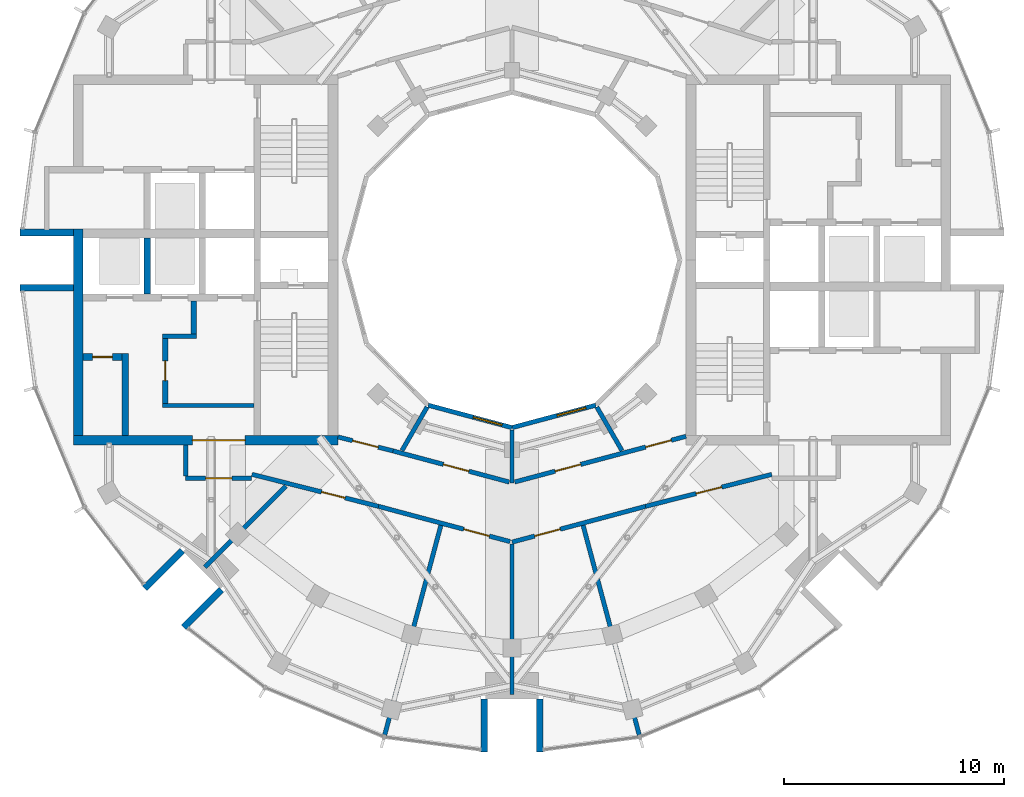
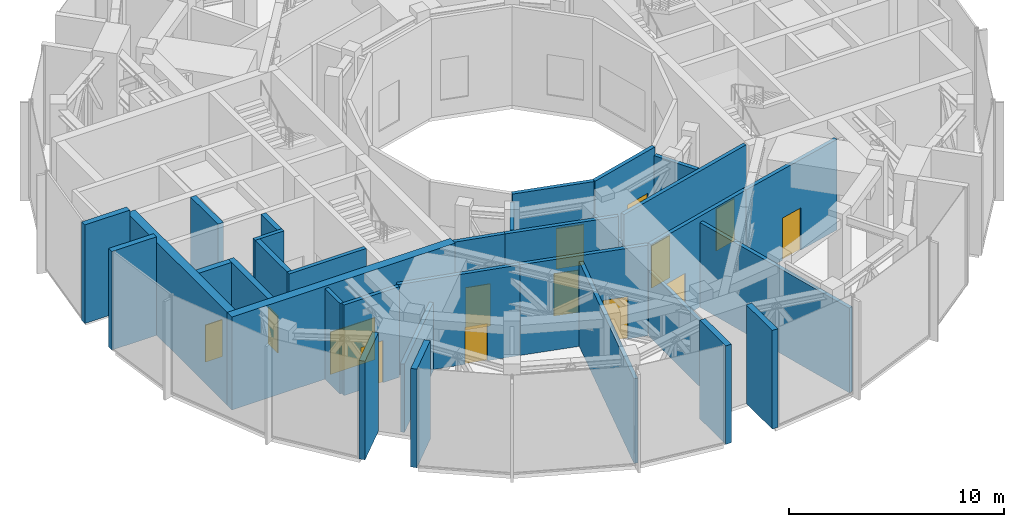
# One storey, part 11 of 17: 33 walls, 12 doors, 2 windows, 14 openings.
"""IFC4 building model written with IfcOpenShell, lengths in metres."""

import ifcopenshell
import ifcopenshell.guid

model = None  # the IFC model being written
_history = None  # IfcOwnerHistory: only IFC2X3 demands one
_inside = {}  # id of a spatial element -> (the spatial element, [elements in it])
_under = {}  # id of a project, library or spatial element -> (it, [spatial elements below it])
_declared = {}  # id of a project -> (the project, [libraries it declares])
_typed = {}  # id of a type object -> (the type object, [elements of that type])
_made_of = {}  # id of a material, layer set ... -> (it, [elements and type objects made of it])


def new_model(schema):
    """Start an empty IFC model of exactly this schema.

    Asked for "IFC4X3", IfcOpenShell would pick the latest addendum, in which some entities
    have other attributes; the version numbers below select the first issue.
    IFC2X3 requires an IfcOwnerHistory on every rooted entity: one is made here for all.
    """
    global model, _history
    if schema == "IFC4X3":
        model = ifcopenshell.file(schema_version=(4, 3, 0, 0))
    else:
        model = ifcopenshell.file(schema=schema)
    _inside.clear()
    _under.clear()
    _declared.clear()
    _typed.clear()
    _made_of.clear()
    _history = None
    if model.schema == "IFC2X3":
        org = make("IfcOrganization", Name="unknown")
        user = make(
            "IfcPersonAndOrganization",
            ThePerson=make("IfcPerson", FamilyName="unknown"),
            TheOrganization=org,
        )
        app = make(
            "IfcApplication",
            ApplicationDeveloper=org,
            Version="unknown",
            ApplicationFullName="unknown",
            ApplicationIdentifier="unknown",
        )
        _history = make(
            "IfcOwnerHistory",
            OwningUser=user,
            OwningApplication=app,
            ChangeAction="ADDED",
            CreationDate=0,
        )
    return model


def make(cls, **values):
    """One entity of the class cls with the attributes given. An attribute that is None is left unset."""
    return model.create_entity(
        cls, **{name: value for name, value in values.items() if value is not None}
    )


def rooted(cls, **values):
    """An entity with a GlobalId (a new one), such as an element, a storey or a relation."""
    return make(cls, GlobalId=ifcopenshell.guid.new(), OwnerHistory=_history, **values)


def si_unit(unit_type, name, prefix=None):
    """IfcSIUnit, for example si_unit("LENGTHUNIT", "METRE", prefix="MILLI")."""
    return make("IfcSIUnit", UnitType=unit_type, Prefix=prefix, Name=name)


def assignment(units):
    """IfcUnitAssignment: the units of a project."""
    return None if units is None else make("IfcUnitAssignment", Units=units)


def point(xyz):
    """IfcCartesianPoint."""
    return None if xyz is None else make("IfcCartesianPoint", Coordinates=xyz)


def direction(xyz):
    """IfcDirection."""
    return None if xyz is None else make("IfcDirection", DirectionRatios=xyz)


def frame(location, z_axis=None, x_axis=None):
    """IfcAxis2Placement3D, a coordinate frame: its origin and axes. An axis left out is left unset."""
    return make(
        "IfcAxis2Placement3D",
        Location=point(location),
        Axis=direction(z_axis),
        RefDirection=direction(x_axis),
    )


def frame_2d(location, x_axis=None):
    """IfcAxis2Placement2D, a coordinate frame in the plane: its origin and x axis."""
    return make(
        "IfcAxis2Placement2D", Location=point(location), RefDirection=direction(x_axis)
    )


def origin():
    """The frame at (0, 0, 0) with its axes left unset."""
    return frame((0.0, 0.0, 0.0))


def place(relative_to, where):
    """IfcLocalPlacement: puts the frame where relative to a parent placement (None: the world)."""
    return make(
        "IfcLocalPlacement", PlacementRelTo=relative_to, RelativePlacement=where
    )


def context(
    kind, dimensions, precision=None, world=None, true_north=None, identifier=None
):
    """IfcGeometricRepresentationContext, for example the 3D "Model" context."""
    return make(
        "IfcGeometricRepresentationContext",
        ContextIdentifier=identifier,
        ContextType=kind,
        CoordinateSpaceDimension=dimensions,
        Precision=precision,
        WorldCoordinateSystem=world,
        TrueNorth=true_north,
    )


def subcontext(parent, identifier, kind, view, scale=None):
    """IfcGeometricRepresentationSubContext, for example "Body" below "Model"."""
    return make(
        "IfcGeometricRepresentationSubContext",
        ContextIdentifier=identifier,
        ContextType=kind,
        ParentContext=parent,
        TargetScale=scale,
        TargetView=view,
    )


def project(units=None, contexts=None):
    """IfcProject with its units and contexts."""
    return rooted(
        "IfcProject",
        Name="project",
        RepresentationContexts=contexts,
        UnitsInContext=assignment(units),
    )


def spatial(cls, under=None, at=None, **own):
    """A site, building, storey or space (cls), placed at a placement, below another one or the project."""
    s = rooted(cls, ObjectPlacement=at, **own)
    if under is not None:
        _under.setdefault(under.id(), (under, []))[1].append(s)
    return s


def profile(cls, at=None, kind="AREA", **sizes):
    """A parametric profile (cls). Its sizes go by their IFC names, for example OverallWidth=200.0."""
    return make(cls, ProfileType=kind, Position=at, **sizes)


def rectangle(**sizes):
    """IfcRectangleProfileDef."""
    return profile("IfcRectangleProfileDef", **sizes)


def extrude(swept, where, along, depth):
    """IfcExtrudedAreaSolid: the profile swept, set in the frame where, extruded along a direction by depth."""
    return make(
        "IfcExtrudedAreaSolid",
        SweptArea=swept,
        Position=where,
        ExtrudedDirection=direction(along),
        Depth=depth,
    )


def shape(context_of_items, identifier, shape_type, items):
    """IfcShapeRepresentation: the items that make up one representation, for example the "Body"."""
    return make(
        "IfcShapeRepresentation",
        ContextOfItems=context_of_items,
        RepresentationIdentifier=identifier,
        RepresentationType=shape_type,
        Items=items,
    )


def material(Name=None, Category=None):
    """IfcMaterial."""
    return make("IfcMaterial", Name=Name, Category=Category)


def layer(
    of_material, thickness, ventilated=None, Name=None, Category=None, Priority=None
):
    """IfcMaterialLayer: one layer of a wall or slab, of a material (None: an air gap)."""
    return make(
        "IfcMaterialLayer",
        Material=of_material,
        LayerThickness=thickness,
        IsVentilated=ventilated,
        Name=Name,
        Category=Category,
        Priority=Priority,
    )


def layer_set(layers, Name=None):
    """IfcMaterialLayerSet."""
    return make("IfcMaterialLayerSet", MaterialLayers=layers, LayerSetName=Name)


def made_of(thing, what):
    """Note that an element or type object is made of a material, layer set ...; save() writes the relation."""
    if what is not None:
        _made_of.setdefault(what.id(), (what, []))[1].append(thing)
    return thing


def type_object(cls, material=None, **own):
    """A type object (cls), such as IfcWallType, which elements share."""
    return made_of(rooted(cls, **own), material)


def element(
    cls,
    number,
    at=None,
    inside=None,
    cuts=None,
    type_object=None,
    material=None,
    context=None,
    identifier="Body",
    shape_type=None,
    held_by="IfcProductDefinitionShape",
    body=None,
    shapes=None,
    **own,
):
    """One element of the class cls, such as IfcWall. Its Tag is "e" and its number.

    at: its placement. inside: the storey or other place that contains it. cuts: it is an
    opening in that element (IfcRelVoidsElement). A single representation is given by context,
    identifier, shape_type and body (its items); several are given by shapes. held_by: the class
    of the entity that holds the representations. save() writes the other relations.
    """
    e = rooted(cls, Tag="e%d" % number, ObjectPlacement=at, **own)
    if body is not None:
        shapes = [shape(context, identifier, shape_type, body)]
    if shapes is not None:
        e.Representation = make(held_by, Representations=shapes)
    if inside is not None:
        _inside.setdefault(inside.id(), (inside, []))[1].append(e)
    if cuts is not None:
        rooted(
            "IfcRelVoidsElement", RelatingBuildingElement=cuts, RelatedOpeningElement=e
        )
    if type_object is not None:
        _typed.setdefault(type_object.id(), (type_object, []))[1].append(e)
    return made_of(e, material)


def fill(opening, filler):
    """IfcRelFillsElement: the door or window that sits in an opening."""
    return rooted(
        "IfcRelFillsElement",
        RelatingOpeningElement=opening,
        RelatedBuildingElement=filler,
    )


def aggregate(whole, parts):
    """IfcRelAggregates: a whole, such as a stair, and the parts it consists of."""
    return rooted("IfcRelAggregates", RelatingObject=whole, RelatedObjects=parts)


def save(model, path):
    """Write the relations noted so far, then the file.

    IfcRelAggregates (storeys below a building ...), IfcRelContainedInSpatialStructure (elements
    in a storey), IfcRelDefinesByType, IfcRelAssociatesMaterial and IfcRelDeclares: one each for
    every whole, place, type object, material and project.
    """
    for whole, parts in _under.values():
        aggregate(whole, parts)
    for where, things in _inside.values():
        rooted(
            "IfcRelContainedInSpatialStructure",
            RelatedElements=things,
            RelatingStructure=where,
        )
    for kind, things in _typed.values():
        rooted("IfcRelDefinesByType", RelatedObjects=things, RelatingType=kind)
    for what, things in _made_of.values():
        rooted("IfcRelAssociatesMaterial", RelatedObjects=things, RelatingMaterial=what)
    for by, libraries in _declared.values():
        rooted("IfcRelDeclares", RelatingContext=by, RelatedDefinitions=libraries)
    model.write(path)


model = new_model("IFC4")

# Units and contexts
model_context = context("Model", 3, precision=1e-05, world=origin(), true_north=direction((0.0, 1.0)))
body_context = subcontext(model_context, "Body", "Model", "MODEL_VIEW")
ifc_project = project(units=[si_unit("LENGTHUNIT", "METRE"), si_unit("AREAUNIT", "SQUARE_METRE"), si_unit("VOLUMEUNIT", "CUBIC_METRE"), si_unit("PLANEANGLEUNIT", "RADIAN"), si_unit("MASSUNIT", "GRAM", prefix="KILO")], contexts=[model_context])

# Site, building, storey
site_placement = place(None, origin())
site = spatial("IfcSite", under=ifc_project, at=site_placement, CompositionType="ELEMENT")
building_placement = place(site_placement, origin())
building = spatial("IfcBuilding", under=site, at=building_placement, Name="Torre Brocal", CompositionType="ELEMENT")
storey_placement = place(building_placement, frame((0.0, 0.0, 309.300048828125)))
storey = spatial("IfcBuildingStorey", under=building, at=storey_placement, Name="L71", CompositionType="ELEMENT", Elevation=309.300048828125)

# Walls
ifc_material_1 = material(Name="Concrete C50", Category="concrete")
ifc_layer_1 = layer(ifc_material_1, 0.199951171875)
ifc_layer_set_1 = layer_set([ifc_layer_1], Name="Concrete C50")
wall_type_1 = type_object("IfcWallType", Name="CORE WALL 200 C50", PredefinedType="SHEAR", material=ifc_layer_set_1)
wall_1_placement = place(storey_placement, frame((68.300048828125, 68.39990234375, 0.0), z_axis=(0.0, 0.0, 1.0), x_axis=(-1.0, 0.0, 0.0)))
element("IfcWall", 1, at=wall_1_placement, inside=storey, type_object=wall_type_1, Name="Wall CW200-50", PredefinedType="SHEAR", context=body_context, shape_type="SweptSolid", body=[
    extrude(rectangle(XDim=4.150146484375, YDim=0.199951171875, at=frame_2d((2.0751953125, 0.0))), origin(), (0.0, 0.0, 1.0), 5.280029296875),
])
wall_2_placement = place(storey_placement, frame((65.699951171875, 71.550048828125, 0.0), z_axis=(0.0, 0.0, 1.0), x_axis=(-1.0, 0.0, 0.0)))
element("IfcWall", 2, at=wall_2_placement, inside=storey, type_object=wall_type_1, Name="Wall CW200-50", PredefinedType="SHEAR", context=body_context, shape_type="SweptSolid", body=[
    extrude(rectangle(XDim=1.550048828125, YDim=0.199951171875, at=frame_2d((0.77490234375, 0.0))), origin(), (0.0, 0.0, 1.0), 5.280029296875),
])

# Wall, opening, door
ifc_material_2 = material(Name="Concrete C50", Category="concrete")
ifc_layer_2 = layer(ifc_material_2, 0.25)
ifc_layer_set_2 = layer_set([ifc_layer_2], Name="Concrete C50")
wall_type_2 = type_object("IfcWallType", Name="CORE WALL 250 C50", PredefinedType="SHEAR", material=ifc_layer_set_2)
wall_3_placement = place(storey_placement, frame((64.27490234375, 71.449951171875, 0.0), z_axis=(0.0, 0.0, 1.0), x_axis=(0.0, -1.0, 0.0)))
wall_3 = element("IfcWall", 3, at=wall_3_placement, inside=storey, type_object=wall_type_2, Name="Wall CW250-50", PredefinedType="SHEAR", context=body_context, shape_type="SweptSolid", body=[
    extrude(rectangle(XDim=2.949951171875, YDim=0.25, at=frame_2d((1.47509765625, 0.0))), origin(), (0.0, 0.0, 1.0), 5.280029296875),
])
opening_1_placement = place(wall_3_placement, frame((1.02490234375, 0.0, 0.0)))
opening_1 = element("IfcOpeningElement", 4, at=opening_1_placement, cuts=wall_3, Name="Opening W-D19", PredefinedType="OPENING", context=body_context, shape_type="SweptSolid", body=[
    extrude(rectangle(XDim=0.89990234375, YDim=2.10009765625, at=frame_2d((0.449951171875, 1.050048828125))), frame((0.0, 0.135009765625, 0.0), z_axis=(0.0, -1.0, 0.0), x_axis=(1.0, 0.0, 0.0)), (0.0, 0.0, 1.0), 0.27001953125),
])
ifc_material_3 = material(Name="Steel A653", Category="steel")
door_type_1 = type_object("IfcDoorType", Name="LOBBY DOOR FD120 900X2100", OperationType="SINGLE_SWING_RIGHT", PredefinedType="DOOR", material=ifc_material_3)
door_1_placement = place(opening_1_placement, origin())
door_1 = element("IfcDoor", 5, at=door_1_placement, inside=storey, type_object=door_type_1, Name="Door W-D19", OperationType="SINGLE_SWING_LEFT", OverallHeight=2.10009765625, OverallWidth=0.89990234375, PredefinedType="DOOR", context=body_context, shape_type="SweptSolid", body=[
    extrude(rectangle(XDim=0.89990234375, YDim=2.10009765625, at=frame_2d((0.449951171875, 1.050048828125))), frame((0.0, 0.02490234375, 0.0), z_axis=(0.0, -1.0, 0.0), x_axis=(1.0, 0.0, 0.0)), (0.0, 0.0, 1.0), 0.050048828125),
])
fill(opening_1, door_1)

# Walls
wall_4_placement = place(storey_placement, frame((65.574951171875, 73.14990234375, 0.0), z_axis=(0.0, 0.0, 1.0), x_axis=(0.0, -1.0, 0.0)))
element("IfcWall", 6, at=wall_4_placement, inside=storey, type_object=wall_type_2, Name="Wall CW250-50", PredefinedType="SHEAR", context=body_context, shape_type="SweptSolid", body=[
    extrude(rectangle(XDim=1.5, YDim=0.25, at=frame_2d((0.75, 0.0))), origin(), (0.0, 0.0, 1.0), 5.280029296875),
])
ifc_material_4 = material(Name="Concrete C50", Category="concrete")
ifc_layer_3 = layer(ifc_material_4, 0.300048828125)
ifc_layer_set_3 = layer_set([ifc_layer_3], Name="Concrete C50")
wall_type_3 = type_object("IfcWallType", Name="CORE WALL 300 C50", PredefinedType="SHEAR", material=ifc_layer_set_3)
wall_5_placement = place(storey_placement, frame((63.449951171875, 76.0, 0.0), z_axis=(0.0, 0.0, 1.0), x_axis=(0.0, -1.0, 0.0)))
element("IfcWall", 7, at=wall_5_placement, inside=storey, type_object=wall_type_3, Name="Wall CW300-50", PredefinedType="SHEAR", context=body_context, shape_type="SweptSolid", body=[
    extrude(rectangle(XDim=2.550048828125, YDim=0.300048828125, at=frame_2d((1.27490234375, 0.0))), origin(), (0.0, 0.0, 1.0), 5.280029296875),
])
wall_6_placement = place(storey_placement, frame((62.449951171875, 70.75, 0.0), z_axis=(0.0, 0.0, 1.0), x_axis=(0.0, -1.0, 0.0)))
element("IfcWall", 8, at=wall_6_placement, inside=storey, type_object=wall_type_3, Name="Wall CW300-50", PredefinedType="SHEAR", context=body_context, shape_type="SweptSolid", body=[
    extrude(rectangle(XDim=3.699951171875, YDim=0.300048828125, at=frame_2d((1.85009765625, 0.0))), origin(), (0.0, 0.0, 1.0), 5.280029296875),
])

# Wall, opening, door
wall_7_placement = place(storey_placement, frame((62.300048828125, 70.60009765625, 0.0), z_axis=(0.0, 0.0, 1.0), x_axis=(-1.0, 0.0, 0.0)))
wall_7 = element("IfcWall", 9, at=wall_7_placement, inside=storey, type_object=wall_type_3, Name="Wall CW300-50", PredefinedType="SHEAR", context=body_context, shape_type="SweptSolid", body=[
    extrude(rectangle(XDim=1.75, YDim=0.300048828125, at=frame_2d((0.875, 0.0))), origin(), (0.0, 0.0, 1.0), 5.280029296875),
])
opening_2_placement = place(wall_7_placement, frame((0.425048828125, 0.0, 0.0)))
opening_2 = element("IfcOpeningElement", 10, at=opening_2_placement, cuts=wall_7, Name="Opening W-D06", PredefinedType="OPENING", context=body_context, shape_type="SweptSolid", body=[
    extrude(rectangle(XDim=0.89990234375, YDim=2.10009765625, at=frame_2d((0.449951171875, 1.050048828125))), frame((0.0, 0.159912109375, 0.0), z_axis=(0.0, -1.0, 0.0), x_axis=(1.0, 0.0, 0.0)), (0.0, 0.0, 1.0), 0.320068359375),
])
ifc_material_5 = material(Name="Steel A653", Category="steel")
door_type_2 = type_object("IfcDoorType", Name="ROOM DOOR FD30S 900X2100", OperationType="SINGLE_SWING_LEFT", PredefinedType="DOOR", material=ifc_material_5)
door_2_placement = place(opening_2_placement, origin())
door_2 = element("IfcDoor", 11, at=door_2_placement, inside=storey, type_object=door_type_2, Name="Door W-D06", OperationType="SINGLE_SWING_RIGHT", OverallHeight=2.10009765625, OverallWidth=0.89990234375, PredefinedType="DOOR", context=body_context, shape_type="SweptSolid", body=[
    extrude(rectangle(XDim=0.89990234375, YDim=2.10009765625, at=frame_2d((0.449951171875, 1.050048828125))), frame((0.0, 0.02490234375, 0.0), z_axis=(0.0, -1.0, 0.0), x_axis=(1.0, 0.0, 0.0)), (0.0, 0.0, 1.0), 0.050048828125),
])
fill(opening_2, door_2)

ifc_material_6 = material(Name="Concrete C50", Category="concrete")
ifc_layer_4 = layer(ifc_material_6, 0.449951171875)
ifc_layer_set_4 = layer_set([ifc_layer_4], Name="Concrete C50")
wall_type_4 = type_object("IfcWallType", Name="CORE WALL 450 C50", PredefinedType="SHEAR", material=ifc_layer_set_4)
wall_8_placement = place(storey_placement, frame((72.10009765625, 66.824951171875, 0.0), z_axis=(0.0, 0.0, 1.0), x_axis=(-1.0, 0.0, 0.0)))
wall_8 = element("IfcWall", 12, at=wall_8_placement, inside=storey, type_object=wall_type_4, Name="Wall CW450-50", PredefinedType="SHEAR", context=body_context, shape_type="SweptSolid", body=[
    extrude(rectangle(XDim=12.0, YDim=0.449951171875, at=frame_2d((6.0, 0.0))), origin(), (0.0, 0.0, 1.0), 5.280029296875),
])
opening_3_placement = place(wall_8_placement, frame((4.199951171875, 0.0, 0.0)))
opening_3 = element("IfcOpeningElement", 13, at=opening_3_placement, cuts=wall_8, Name="Opening W-D24", PredefinedType="OPENING", context=body_context, shape_type="SweptSolid", body=[
    extrude(rectangle(XDim=2.39990234375, YDim=2.39990234375, at=frame_2d((1.199951171875, 1.199951171875))), frame((0.0, 0.23486328125, 0.0), z_axis=(0.0, -1.0, 0.0), x_axis=(1.0, 0.0, 0.0)), (0.0, 0.0, 1.0), 0.469970703125),
])
ifc_material_7 = material(Name="Steel A653", Category="steel")
door_type_3 = type_object("IfcDoorType", Name="DOUBLE FIRE DOOR FD90 2400X2400", OperationType="DOUBLE_DOOR_SINGLE_SWING", PredefinedType="DOOR", material=ifc_material_7)
door_3_placement = place(opening_3_placement, frame((2.39990234375, 0.0, 0.0), z_axis=(0.0, 0.0, 1.0), x_axis=(-1.0, 0.0, 0.0)))
door_3 = element("IfcDoor", 14, at=door_3_placement, inside=storey, type_object=door_type_3, Name="Door W-D24", OperationType="DOUBLE_DOOR_SINGLE_SWING", OverallHeight=2.39990234375, OverallWidth=2.39990234375, PredefinedType="DOOR", context=body_context, shape_type="SweptSolid", body=[
    extrude(rectangle(XDim=2.39990234375, YDim=2.39990234375, at=frame_2d((1.199951171875, 1.199951171875))), frame((0.0, 0.02490234375, 0.0), z_axis=(0.0, -1.0, 0.0), x_axis=(1.0, 0.0, 0.0)), (0.0, 0.0, 1.0), 0.050048828125),
])
fill(opening_3, door_3)

# Walls
wall_9_placement = place(storey_placement, frame((60.324951171875, 76.39990234375, 0.0), z_axis=(0.0, 0.0, 1.0), x_axis=(0.0, -1.0, 0.0)))
element("IfcWall", 15, at=wall_9_placement, inside=storey, type_object=wall_type_4, Name="Wall CW450-50", PredefinedType="SHEAR", context=body_context, shape_type="SweptSolid", body=[
    extrude(rectangle(XDim=9.349853515625, YDim=0.449951171875, at=frame_2d((4.6748046875, 0.0))), origin(), (0.0, 0.0, 1.0), 5.280029296875),
])
ifc_material_8 = material(Name="Concrete C50", Category="concrete")
ifc_layer_5 = layer(ifc_material_8, 0.300048828125)
ifc_layer_set_5 = layer_set([ifc_layer_5], Name="Concrete C50")
wall_type_5 = type_object("IfcWallType", Name="NOTCH RETURN WALL 300 C50", PredefinedType="NOTDEFINED", material=ifc_layer_set_5)
for number, where, z_axis, x_axis, name in (
    (16, (60.10009765625, 76.25, 0.0), (0.0, 0.0, 1.0), (-1.0, 0.0, 0.0), "NOTCH RETURN WALL"),
    (17, (60.10009765625, 73.75, 0.0), (0.0, 0.0, 1.0), (-1.0, 0.0, 0.0), "NOTCH RETURN WALL"),
    (18, (65.044677734375, 61.8125, 0.0), (0.0, 0.0, 1.0), (-0.707106781187, -0.707106781187, 0.0), "NOTCH RETURN WALL"),
    (19, (66.8125, 60.044677734375, 0.0), (0.0, 0.0, 1.0), (-0.707106781187, -0.707106781187, 0.0), "NOTCH RETURN WALL"),
    (20, (78.75, 55.10009765625, 0.0), (0.0, 0.0, 1.0), (0.0, -1.0, 0.0), "NOTCH RETURN WALL"),
    (21, (81.25, 55.10009765625, 0.0), (0.0, 0.0, 1.0), (0.0, -1.0, 0.0), "NOTCH RETURN WALL"),
):
    element("IfcWall", number, at=place(storey_placement, frame(where, z_axis=z_axis, x_axis=x_axis)), inside=storey, type_object=wall_type_5, Name=name, PredefinedType="NOTDEFINED", context=body_context, shape_type="SweptSolid", body=[
        extrude(rectangle(XDim=2.415771484375, YDim=0.300048828125, at=frame_2d((1.2080078125, 0.0))), origin(), (0.0, 0.0, 1.0), 5.599853515625),
    ])
ifc_material_9 = material(Name="Masonry block", Category="masonry")
ifc_layer_6 = layer(ifc_material_9, 0.199951171875)
ifc_layer_set_6 = layer_set([ifc_layer_6], Name="Masonry block")
wall_type_6 = type_object("IfcWallType", Name="PARTITION 200 EI120", PredefinedType="PARTITIONING", material=ifc_layer_set_6)
wall_10_placement = place(storey_placement, frame((65.199951171875, 65.199951171875, 0.0), z_axis=(0.0, 0.0, 1.0), x_axis=(0.0, 1.0, 0.0)))
element("IfcWall", 22, at=wall_10_placement, inside=storey, type_object=wall_type_6, Name="PLANT ROOM WALL", PredefinedType="PARTITIONING", context=body_context, shape_type="SweptSolid", body=[
    extrude(rectangle(XDim=1.399169921875, YDim=0.199951171875, at=frame_2d((0.69970703125, 0.0))), origin(), (0.0, 0.0, 1.0), 5.14990234375),
])

# Wall, opening, door
wall_11_placement = place(storey_placement, frame((65.199951171875, 65.10009765625, 0.0), z_axis=(0.0, 0.0, 1.0), x_axis=(1.0, 0.0, 0.0)))
wall_11 = element("IfcWall", 23, at=wall_11_placement, inside=storey, type_object=wall_type_6, Name="PLANT ROOM WALL", PredefinedType="PARTITIONING", context=body_context, shape_type="SweptSolid", body=[
    extrude(rectangle(XDim=2.97998046875, YDim=0.199951171875, at=frame_2d((1.489990234375, 0.0))), origin(), (0.0, 0.0, 1.0), 5.14990234375),
])
opening_4_placement = place(wall_11_placement, frame((0.89990234375, 0.0, 0.0)))
opening_4 = element("IfcOpeningElement", 24, at=opening_4_placement, cuts=wall_11, Name="Opening X3-D15", PredefinedType="OPENING", context=body_context, shape_type="SweptSolid", body=[
    extrude(rectangle(XDim=1.199951171875, YDim=2.39990234375, at=frame_2d((0.60009765625, 1.199951171875))), frame((0.0, 0.10986328125, 0.0), z_axis=(0.0, -1.0, 0.0), x_axis=(1.0, 0.0, 0.0)), (0.0, 0.0, 1.0), 0.219970703125),
])
ifc_material_10 = material(Name="Steel A653", Category="steel")
door_type_4 = type_object("IfcDoorType", Name="PLANT DOOR FD90 1200X2400", OperationType="SINGLE_SWING_RIGHT", PredefinedType="DOOR", material=ifc_material_10)
door_4_placement = place(opening_4_placement, frame((1.199951171875, 0.0, 0.0), z_axis=(0.0, 0.0, 1.0), x_axis=(-1.0, 0.0, 0.0)))
door_4 = element("IfcDoor", 25, at=door_4_placement, inside=storey, type_object=door_type_4, Name="X3-D15", OperationType="SINGLE_SWING_LEFT", OverallHeight=2.39990234375, OverallWidth=1.199951171875, PredefinedType="DOOR", context=body_context, shape_type="SweptSolid", body=[
    extrude(rectangle(XDim=1.199951171875, YDim=2.39990234375, at=frame_2d((0.60009765625, 1.199951171875))), frame((0.0, 0.02490234375, 0.0), z_axis=(0.0, -1.0, 0.0), x_axis=(1.0, 0.0, 0.0)), (0.0, 0.0, 1.0), 0.050048828125),
])
fill(opening_4, door_4)

wall_12_placement = place(storey_placement, frame((68.200927734375, 65.280029296875, 0.0), z_axis=(0.0, 0.0, 1.0), x_axis=(0.969440682923, -0.245325828836, 0.0)))
wall_12 = element("IfcWall", 26, at=wall_12_placement, inside=storey, type_object=wall_type_6, Name="PLANT ROOM WALL", PredefinedType="PARTITIONING", context=body_context, shape_type="SweptSolid", body=[
    extrude(rectangle(XDim=5.92724609375, YDim=0.199951171875, at=frame_2d((2.963623046875, 0.0))), origin(), (0.0, 0.0, 1.0), 5.14990234375),
])
opening_5_placement = place(wall_12_placement, frame((3.2578125, 0.0, 0.0)))
opening_5 = element("IfcOpeningElement", 27, at=opening_5_placement, cuts=wall_12, Name="Opening X3-D14", PredefinedType="OPENING", context=body_context, shape_type="SweptSolid", body=[
    extrude(rectangle(XDim=1.10009765625, YDim=2.10009765625, at=frame_2d((0.550048828125, 1.050048828125))), frame((0.0, 0.10986328125, 0.0), z_axis=(0.0, -1.0, 0.0), x_axis=(1.0, 0.0, 0.0)), (0.0, 0.0, 1.0), 0.219970703125),
])
ifc_material_11 = material(Name="Steel A653", Category="steel")
door_type_5 = type_object("IfcDoorType", Name="REFUGE DOOR FD90 1100X2100", OperationType="SINGLE_SWING_RIGHT", PredefinedType="DOOR", material=ifc_material_11)
door_5_placement = place(opening_5_placement, frame((1.10009765625, 0.0, 0.0), z_axis=(0.0, 0.0, 1.0), x_axis=(-1.0, 0.0, 0.0)))
door_5 = element("IfcDoor", 28, at=door_5_placement, inside=storey, type_object=door_type_5, Name="X3-D14", OperationType="SINGLE_SWING_RIGHT", OverallHeight=2.10009765625, OverallWidth=1.10009765625, PredefinedType="DOOR", context=body_context, shape_type="SweptSolid", body=[
    extrude(rectangle(XDim=1.10009765625, YDim=2.10009765625, at=frame_2d((0.550048828125, 1.050048828125))), frame((0.0, 0.02490234375, 0.0), z_axis=(0.0, -1.0, 0.0), x_axis=(1.0, 0.0, 0.0)), (0.0, 0.0, 1.0), 0.050048828125),
])
fill(opening_5, door_5)

wall_13_placement = place(storey_placement, frame((72.10009765625, 66.97509765625, 0.0), z_axis=(0.0, 0.0, 1.0), x_axis=(0.969471314457, -0.245204752086, 0.0)))
wall_13 = element("IfcWall", 29, at=wall_13_placement, inside=storey, type_object=wall_type_6, Name="PLANT ROOM WALL", PredefinedType="PARTITIONING", context=body_context, shape_type="SweptSolid", body=[
    extrude(rectangle(XDim=2.581787109375, YDim=0.199951171875, at=frame_2d((1.291015625, 0.0))), origin(), (0.0, 0.0, 1.0), 5.14990234375),
])
opening_6_placement = place(wall_13_placement, frame((0.69091796875, 0.0, 0.0)))
opening_6 = element("IfcOpeningElement", 30, at=opening_6_placement, cuts=wall_13, Name="Opening X3-D19", PredefinedType="OPENING", context=body_context, shape_type="SweptSolid", body=[
    extrude(rectangle(XDim=1.199951171875, YDim=2.39990234375, at=frame_2d((0.60009765625, 1.199951171875))), frame((0.0, 0.10986328125, 0.0), z_axis=(0.0, -1.0, 0.0), x_axis=(1.0, 0.0, 0.0)), (0.0, 0.0, 1.0), 0.219970703125),
])
door_6_placement = place(opening_6_placement, origin())
door_6 = element("IfcDoor", 31, at=door_6_placement, inside=storey, type_object=door_type_4, Name="X3-D19", OperationType="SINGLE_SWING_LEFT", OverallHeight=2.39990234375, OverallWidth=1.199951171875, PredefinedType="DOOR", context=body_context, shape_type="SweptSolid", body=[
    extrude(rectangle(XDim=1.199951171875, YDim=2.39990234375, at=frame_2d((0.60009765625, 1.199951171875))), frame((0.0, 0.02490234375, 0.0), z_axis=(0.0, -1.0, 0.0), x_axis=(1.0, 0.0, 0.0)), (0.0, 0.0, 1.0), 0.050048828125),
])
fill(opening_6, door_6)

wall_14_placement = place(storey_placement, frame((73.947021484375, 63.825927734375, 0.0), z_axis=(0.0, 0.0, 1.0), x_axis=(0.965924585279, -0.258823676573, 0.0)))
wall_14 = element("IfcWall", 32, at=wall_14_placement, inside=storey, type_object=wall_type_6, Name="PLANT ROOM WALL", PredefinedType="PARTITIONING", context=body_context, shape_type="SweptSolid", body=[
    extrude(rectangle(XDim=6.176513671875, YDim=0.199951171875, at=frame_2d((3.08837890625, 0.0))), origin(), (0.0, 0.0, 1.0), 5.14990234375),
])
opening_7_placement = place(wall_14_placement, frame((4.000732421875, 0.0, 0.0)))
opening_7 = element("IfcOpeningElement", 33, at=opening_7_placement, cuts=wall_14, Name="Opening X3-D13", PredefinedType="OPENING", context=body_context, shape_type="SweptSolid", body=[
    extrude(rectangle(XDim=1.199951171875, YDim=2.39990234375, at=frame_2d((0.60009765625, 1.199951171875))), frame((0.0, 0.10986328125, 0.0), z_axis=(0.0, -1.0, 0.0), x_axis=(1.0, 0.0, 0.0)), (0.0, 0.0, 1.0), 0.219970703125),
])
door_7_placement = place(opening_7_placement, frame((1.199951171875, 0.0, 0.0), z_axis=(0.0, 0.0, 1.0), x_axis=(-1.0, 0.0, 0.0)))
door_7 = element("IfcDoor", 34, at=door_7_placement, inside=storey, type_object=door_type_4, Name="X3-D13", OperationType="SINGLE_SWING_RIGHT", OverallHeight=2.39990234375, OverallWidth=1.199951171875, PredefinedType="DOOR", context=body_context, shape_type="SweptSolid", body=[
    extrude(rectangle(XDim=1.199951171875, YDim=2.39990234375, at=frame_2d((0.60009765625, 1.199951171875))), frame((0.0, 0.02490234375, 0.0), z_axis=(0.0, -1.0, 0.0), x_axis=(1.0, 0.0, 0.0)), (0.0, 0.0, 1.0), 0.050048828125),
])
fill(opening_7, door_7)

wall_15_placement = place(storey_placement, frame((74.60302734375, 66.342041015625, 0.0), z_axis=(0.0, 0.0, 1.0), x_axis=(0.965920893652, -0.258837453254, 0.0)))
wall_15 = element("IfcWall", 35, at=wall_15_placement, inside=storey, type_object=wall_type_6, Name="PLANT ROOM WALL", PredefinedType="PARTITIONING", context=body_context, shape_type="SweptSolid", body=[
    extrude(rectangle(XDim=5.45751953125, YDim=0.199951171875, at=frame_2d((2.728759765625, 0.0))), origin(), (0.0, 0.0, 1.0), 5.14990234375),
])
opening_8_placement = place(wall_15_placement, frame((2.3623046875, 0.0, 0.0)))
opening_8 = element("IfcOpeningElement", 36, at=opening_8_placement, cuts=wall_15, Name="Opening X3-D18", PredefinedType="OPENING", context=body_context, shape_type="SweptSolid", body=[
    extrude(rectangle(XDim=1.199951171875, YDim=2.39990234375, at=frame_2d((0.60009765625, 1.199951171875))), frame((0.0, 0.10986328125, 0.0), z_axis=(0.0, -1.0, 0.0), x_axis=(1.0, 0.0, 0.0)), (0.0, 0.0, 1.0), 0.219970703125),
])
door_8_placement = place(opening_8_placement, origin())
door_8 = element("IfcDoor", 37, at=door_8_placement, inside=storey, type_object=door_type_4, Name="X3-D18", OperationType="SINGLE_SWING_LEFT", OverallHeight=2.39990234375, OverallWidth=1.199951171875, PredefinedType="DOOR", context=body_context, shape_type="SweptSolid", body=[
    extrude(rectangle(XDim=1.199951171875, YDim=2.39990234375, at=frame_2d((0.60009765625, 1.199951171875))), frame((0.0, 0.02490234375, 0.0), z_axis=(0.0, -1.0, 0.0), x_axis=(1.0, 0.0, 0.0)), (0.0, 0.0, 1.0), 0.050048828125),
])
fill(opening_8, door_8)

# Wall
wall_16_placement = place(storey_placement, frame((75.011962890625, 66.36328125, 0.0), z_axis=(0.0, 0.0, 1.0), x_axis=(0.500143511652, 0.865942531438, 0.0)))
element("IfcWall", 38, at=wall_16_placement, inside=storey, type_object=wall_type_6, Name="PLANT ROOM WALL", PredefinedType="PARTITIONING", context=body_context, shape_type="SweptSolid", body=[
    extrude(rectangle(XDim=2.275146484375, YDim=0.199951171875, at=frame_2d((1.1376953125, 0.0))), origin(), (0.0, 0.0, 1.0), 5.14990234375),
])

# Wall, openings, doors
wall_17_placement = place(storey_placement, frame((80.125, 64.931640625, 0.0), z_axis=(0.0, 0.0, 1.0), x_axis=(0.966236955806, 0.257655089674, 0.0)))
wall_17 = element("IfcWall", 39, at=wall_17_placement, inside=storey, type_object=wall_type_6, Name="PLANT ROOM WALL", PredefinedType="PARTITIONING", context=body_context, shape_type="SweptSolid", body=[
    extrude(rectangle(XDim=8.0390625, YDim=0.199951171875, at=frame_2d((4.01953125, 0.0))), origin(), (0.0, 0.0, 1.0), 5.14990234375),
])
opening_9_placement = place(wall_17_placement, frame((6.148193359375, 0.0, 0.0)))
opening_9 = element("IfcOpeningElement", 40, at=opening_9_placement, cuts=wall_17, Name="Opening X3-D16", PredefinedType="OPENING", context=body_context, shape_type="SweptSolid", body=[
    extrude(rectangle(XDim=1.199951171875, YDim=2.39990234375, at=frame_2d((0.60009765625, 1.199951171875))), frame((0.0, 0.10986328125, 0.0), z_axis=(0.0, -1.0, 0.0), x_axis=(1.0, 0.0, 0.0)), (0.0, 0.0, 1.0), 0.219970703125),
])
opening_10_placement = place(wall_17_placement, frame((1.89501953125, 0.0, 0.0)))
opening_10 = element("IfcOpeningElement", 41, at=opening_10_placement, cuts=wall_17, Name="Opening X3-D17", PredefinedType="OPENING", context=body_context, shape_type="SweptSolid", body=[
    extrude(rectangle(XDim=1.199951171875, YDim=2.39990234375, at=frame_2d((0.60009765625, 1.199951171875))), frame((0.0, 0.10986328125, 0.0), z_axis=(0.0, -1.0, 0.0), x_axis=(1.0, 0.0, 0.0)), (0.0, 0.0, 1.0), 0.219970703125),
])
door_9_placement = place(opening_9_placement, origin())
door_9 = element("IfcDoor", 42, at=door_9_placement, inside=storey, type_object=door_type_4, Name="X3-D16", OperationType="SINGLE_SWING_RIGHT", OverallHeight=2.39990234375, OverallWidth=1.199951171875, PredefinedType="DOOR", context=body_context, shape_type="SweptSolid", body=[
    extrude(rectangle(XDim=1.199951171875, YDim=2.39990234375, at=frame_2d((0.60009765625, 1.199951171875))), frame((0.0, 0.02490234375, 0.0), z_axis=(0.0, -1.0, 0.0), x_axis=(1.0, 0.0, 0.0)), (0.0, 0.0, 1.0), 0.050048828125),
])
fill(opening_9, door_9)
door_10_placement = place(opening_10_placement, origin())
door_10 = element("IfcDoor", 43, at=door_10_placement, inside=storey, type_object=door_type_4, Name="X3-D17", OperationType="SINGLE_SWING_RIGHT", OverallHeight=2.39990234375, OverallWidth=1.199951171875, PredefinedType="DOOR", context=body_context, shape_type="SweptSolid", body=[
    extrude(rectangle(XDim=1.199951171875, YDim=2.39990234375, at=frame_2d((0.60009765625, 1.199951171875))), frame((0.0, 0.02490234375, 0.0), z_axis=(0.0, -1.0, 0.0), x_axis=(1.0, 0.0, 0.0)), (0.0, 0.0, 1.0), 0.050048828125),
])
fill(opening_10, door_10)

# Wall, opening, door
wall_18_placement = place(storey_placement, frame((80.0, 62.2041015625, 0.0), z_axis=(0.0, 0.0, 1.0), x_axis=(0.965938139786, 0.258773086132, 0.0)))
wall_18 = element("IfcWall", 44, at=wall_18_placement, inside=storey, type_object=wall_type_6, Name="PLANT ROOM WALL", PredefinedType="PARTITIONING", context=body_context, shape_type="SweptSolid", body=[
    extrude(rectangle(XDim=6.266357421875, YDim=0.199951171875, at=frame_2d((3.13330078125, 0.0))), origin(), (0.0, 0.0, 1.0), 5.14990234375),
])
opening_11_placement = place(wall_18_placement, frame((1.065673828125, 0.0, 0.0)))
opening_11 = element("IfcOpeningElement", 45, at=opening_11_placement, cuts=wall_18, Name="Opening X3-D12", PredefinedType="OPENING", context=body_context, shape_type="SweptSolid", body=[
    extrude(rectangle(XDim=1.199951171875, YDim=2.39990234375, at=frame_2d((0.60009765625, 1.199951171875))), frame((0.0, 0.10986328125, 0.0), z_axis=(0.0, -1.0, 0.0), x_axis=(1.0, 0.0, 0.0)), (0.0, 0.0, 1.0), 0.219970703125),
])
door_11_placement = place(opening_11_placement, frame((1.199951171875, 0.0, 0.0), z_axis=(0.0, 0.0, 1.0), x_axis=(-1.0, 0.0, 0.0)))
door_11 = element("IfcDoor", 46, at=door_11_placement, inside=storey, type_object=door_type_4, Name="X3-D12", OperationType="SINGLE_SWING_LEFT", OverallHeight=2.39990234375, OverallWidth=1.199951171875, PredefinedType="DOOR", context=body_context, shape_type="SweptSolid", body=[
    extrude(rectangle(XDim=1.199951171875, YDim=2.39990234375, at=frame_2d((0.60009765625, 1.199951171875))), frame((0.0, 0.02490234375, 0.0), z_axis=(0.0, -1.0, 0.0), x_axis=(1.0, 0.0, 0.0)), (0.0, 0.0, 1.0), 0.050048828125),
])
fill(opening_11, door_11)

# Wall
wall_19_placement = place(storey_placement, frame((83.84765625, 68.332275390625, 0.0), z_axis=(0.0, 0.0, 1.0), x_axis=(0.499907387488, -0.866078867041, 0.0)))
element("IfcWall", 47, at=wall_19_placement, inside=storey, type_object=wall_type_6, Name="PLANT ROOM WALL", PredefinedType="PARTITIONING", context=body_context, shape_type="SweptSolid", body=[
    extrude(rectangle(XDim=2.28564453125, YDim=0.199951171875, at=frame_2d((1.142822265625, 0.0))), origin(), (0.0, 0.0, 1.0), 5.14990234375),
])

# Wall, opening, door
wall_20_placement = place(storey_placement, frame((86.052978515625, 63.826171875, 0.0), z_axis=(0.0, 0.0, 1.0), x_axis=(0.969480070232, 0.245170131586, 0.0)))
wall_20 = element("IfcWall", 48, at=wall_20_placement, inside=storey, type_object=wall_type_6, Name="PLANT ROOM WALL", PredefinedType="PARTITIONING", context=body_context, shape_type="SweptSolid", body=[
    extrude(rectangle(XDim=5.906982421875, YDim=0.199951171875, at=frame_2d((2.95361328125, 0.0))), origin(), (0.0, 0.0, 1.0), 5.14990234375),
])
opening_12_placement = place(wall_20_placement, frame((2.364013671875, 0.0, 0.0)))
opening_12 = element("IfcOpeningElement", 49, at=opening_12_placement, cuts=wall_20, Name="Opening X3-D11", PredefinedType="OPENING", context=body_context, shape_type="SweptSolid", body=[
    extrude(rectangle(XDim=1.199951171875, YDim=2.39990234375, at=frame_2d((0.60009765625, 1.199951171875))), frame((0.0, 0.10986328125, 0.0), z_axis=(0.0, -1.0, 0.0), x_axis=(1.0, 0.0, 0.0)), (0.0, 0.0, 1.0), 0.219970703125),
])
door_12_placement = place(opening_12_placement, frame((1.199951171875, 0.0, 0.0), z_axis=(0.0, 0.0, 1.0), x_axis=(-1.0, 0.0, 0.0)))
door_12 = element("IfcDoor", 50, at=door_12_placement, inside=storey, type_object=door_type_4, Name="X3-D11", OperationType="SINGLE_SWING_LEFT", OverallHeight=2.39990234375, OverallWidth=1.199951171875, PredefinedType="DOOR", context=body_context, shape_type="SweptSolid", body=[
    extrude(rectangle(XDim=1.199951171875, YDim=2.39990234375, at=frame_2d((0.60009765625, 1.199951171875))), frame((0.0, 0.02490234375, 0.0), z_axis=(0.0, -1.0, 0.0), x_axis=(1.0, 0.0, 0.0)), (0.0, 0.0, 1.0), 0.050048828125),
])
fill(opening_12, door_12)

# Walls
ifc_material_12 = material(Name="Masonry block", Category="masonry")
ifc_layer_7 = layer(ifc_material_12, 0.199951171875)
ifc_layer_set_7 = layer_set([ifc_layer_7], Name="Masonry block")
wall_type_7 = type_object("IfcWallType", Name="PARTITION 200 EI120 UNDER BEAM 1720", PredefinedType="PARTITIONING", material=ifc_layer_set_7)
wall_21_placement = place(storey_placement, frame((66.06884765625, 61.072509765625, 0.0), z_axis=(0.0, 0.0, 1.0), x_axis=(0.707200867644, 0.707012682208, 0.0)))
element("IfcWall", 51, at=wall_21_placement, inside=storey, type_object=wall_type_7, Name="PLANT ROOM WALL", PredefinedType="PARTITIONING", context=body_context, shape_type="SweptSolid", body=[
    extrude(rectangle(XDim=5.189453125, YDim=0.199951171875, at=frame_2d((2.5947265625, 0.0))), origin(), (0.0, 0.0, 1.0), 3.8798828125),
])
ifc_material_13 = material(Name="Masonry block", Category="masonry")
ifc_layer_8 = layer(ifc_material_13, 0.199951171875)
ifc_layer_set_8 = layer_set([ifc_layer_8], Name="Masonry block")
wall_type_8 = type_object("IfcWallType", Name="PARTITION 200 EI120 UNDER BEAM 1920", PredefinedType="PARTITIONING", material=ifc_layer_set_8)
wall_22_placement = place(storey_placement, frame((80.0, 55.300048828125, 0.0), z_axis=(0.0, 0.0, 1.0), x_axis=(0.0, 1.0, 0.0)))
element("IfcWall", 52, at=wall_22_placement, inside=storey, type_object=wall_type_8, Name="PLANT ROOM WALL", PredefinedType="PARTITIONING", context=body_context, shape_type="SweptSolid", body=[
    extrude(rectangle(XDim=6.81396484375, YDim=0.199951171875, at=frame_2d((3.406982421875, 0.0))), origin(), (0.0, 0.0, 1.0), 3.679931640625),
])
wall_23_placement = place(storey_placement, frame((80.0, 64.89599609375, 0.0), z_axis=(0.0, 0.0, 1.0), x_axis=(0.0, 1.0, 0.0)))
element("IfcWall", 53, at=wall_23_placement, inside=storey, type_object=wall_type_8, Name="PLANT ROOM WALL", PredefinedType="PARTITIONING", context=body_context, shape_type="SweptSolid", body=[
    extrude(rectangle(XDim=2.405029296875, YDim=0.199951171875, at=frame_2d((1.20263671875, 0.0))), origin(), (0.0, 0.0, 1.0), 3.679931640625),
])
ifc_material_14 = material(Name="Masonry block", Category="masonry")
ifc_layer_9 = layer(ifc_material_14, 0.199951171875)
ifc_layer_set_9 = layer_set([ifc_layer_9], Name="Masonry block")
wall_type_9 = type_object("IfcWallType", Name="PARTITION 200 EI120 UNDER BEAM 788", PredefinedType="PARTITIONING", material=ifc_layer_set_9)
for number, where, z_axis, x_axis, name in (
    (54, (74.2275390625, 53.462158203125, 0.0), (0.0, 0.0, 1.0), (0.258887433163, 0.965907499169, 0.0), "PLANT ROOM WALL"),
    (55, (83.22509765625, 62.96337890625, 0.0), (0.0, 0.0, 1.0), (0.258811759632, -0.965927778396, 0.0), "PLANT ROOM WALL"),
):
    element("IfcWall", number, at=place(storey_placement, frame(where, z_axis=z_axis, x_axis=x_axis)), inside=storey, type_object=wall_type_9, Name=name, PredefinedType="PARTITIONING", context=body_context, shape_type="SweptSolid", body=[
        extrude(rectangle(XDim=9.8369140625, YDim=0.199951171875, at=frame_2d((4.91845703125, 0.0))), origin(), (0.0, 0.0, 1.0), 4.81201171875),
    ])

# Wall, opening, window
ifc_material_15 = material(Name="Concrete C40", Category="concrete")
ifc_layer_10 = layer(ifc_material_15, 0.199951171875)
ifc_layer_set_10 = layer_set([ifc_layer_10], Name="Concrete C40")
wall_type_10 = type_object("IfcWallType", Name="WELL FACADE WALL 200", PredefinedType="NOTDEFINED", material=ifc_layer_set_10)
wall_24_placement = place(storey_placement, frame((76.1982421875, 68.4150390625, 0.0), z_axis=(0.0, 0.0, 1.0), x_axis=(0.965933654434, -0.258789828301, 0.0)))
wall_24 = element("IfcWall", 56, at=wall_24_placement, inside=storey, type_object=wall_type_10, Name="WELL FACADE WALL", PredefinedType="NOTDEFINED", context=body_context, shape_type="SweptSolid", body=[
    extrude(rectangle(XDim=3.935791015625, YDim=0.199951171875, at=frame_2d((1.9677734375, 0.0))), origin(), (0.0, 0.0, 1.0), 5.599853515625),
])
opening_13_placement = place(wall_24_placement, frame((2.117919921875, 0.0, 0.89990234375)))
opening_13 = element("IfcOpeningElement", 57, at=opening_13_placement, cuts=wall_24, Name="Opening W11", PredefinedType="OPENING", context=body_context, shape_type="SweptSolid", body=[
    extrude(rectangle(XDim=1.35009765625, YDim=2.300048828125, at=frame_2d((0.675048828125, 1.14990234375))), frame((0.0, 0.10986328125, 0.0), z_axis=(0.0, -1.0, 0.0), x_axis=(1.0, 0.0, 0.0)), (0.0, 0.0, 1.0), 0.219970703125),
])
ifc_material_16 = material(Name="Aluminium and glass", Category="aluminium")
window_type = type_object("IfcWindowType", Name="WELL WINDOW 1350X2300 BELT", PartitioningType="SINGLE_PANEL", PredefinedType="WINDOW", material=ifc_material_16)
window_1_placement = place(opening_13_placement, origin())
window_1 = element("IfcWindow", 58, at=window_1_placement, inside=storey, type_object=window_type, Name="WELL WINDOW 1350X2300 BELT", OverallHeight=2.300048828125, OverallWidth=1.35009765625, PartitioningType="SINGLE_PANEL", PredefinedType="WINDOW", context=body_context, shape_type="SweptSolid", body=[
    extrude(rectangle(XDim=1.35009765625, YDim=2.300048828125, at=frame_2d((0.675048828125, 1.14990234375))), frame((0.0, 0.030029296875, 0.0), z_axis=(0.0, -1.0, 0.0), x_axis=(1.0, 0.0, 0.0)), (0.0, 0.0, 1.0), 0.06005859375),
])
fill(opening_13, window_1)

wall_25_placement = place(storey_placement, frame((80.0, 67.396484375, 0.0), z_axis=(0.0, 0.0, 1.0), x_axis=(0.965933654434, 0.258789828301, 0.0)))
wall_25 = element("IfcWall", 59, at=wall_25_placement, inside=storey, type_object=wall_type_10, Name="WELL FACADE WALL", PredefinedType="NOTDEFINED", context=body_context, shape_type="SweptSolid", body=[
    extrude(rectangle(XDim=3.935791015625, YDim=0.199951171875, at=frame_2d((1.9677734375, 0.0))), origin(), (0.0, 0.0, 1.0), 5.599853515625),
])
opening_14_placement = place(wall_25_placement, frame((2.117919921875, 0.0, 0.89990234375)))
opening_14 = element("IfcOpeningElement", 60, at=opening_14_placement, cuts=wall_25, Name="Opening W11", PredefinedType="OPENING", context=body_context, shape_type="SweptSolid", body=[
    extrude(rectangle(XDim=1.35009765625, YDim=2.300048828125, at=frame_2d((0.675048828125, 1.14990234375))), frame((0.0, 0.10986328125, 0.0), z_axis=(0.0, -1.0, 0.0), x_axis=(1.0, 0.0, 0.0)), (0.0, 0.0, 1.0), 0.219970703125),
])
window_2_placement = place(opening_14_placement, origin())
window_2 = element("IfcWindow", 61, at=window_2_placement, inside=storey, type_object=window_type, Name="WELL WINDOW 1350X2300 BELT", OverallHeight=2.300048828125, OverallWidth=1.35009765625, PartitioningType="SINGLE_PANEL", PredefinedType="WINDOW", context=body_context, shape_type="SweptSolid", body=[
    extrude(rectangle(XDim=1.35009765625, YDim=2.300048828125, at=frame_2d((0.675048828125, 1.14990234375))), frame((0.0, 0.030029296875, 0.0), z_axis=(0.0, -1.0, 0.0), x_axis=(1.0, 0.0, 0.0)), (0.0, 0.0, 1.0), 0.06005859375),
])
fill(opening_14, window_2)

save(model, "model.ifc")
